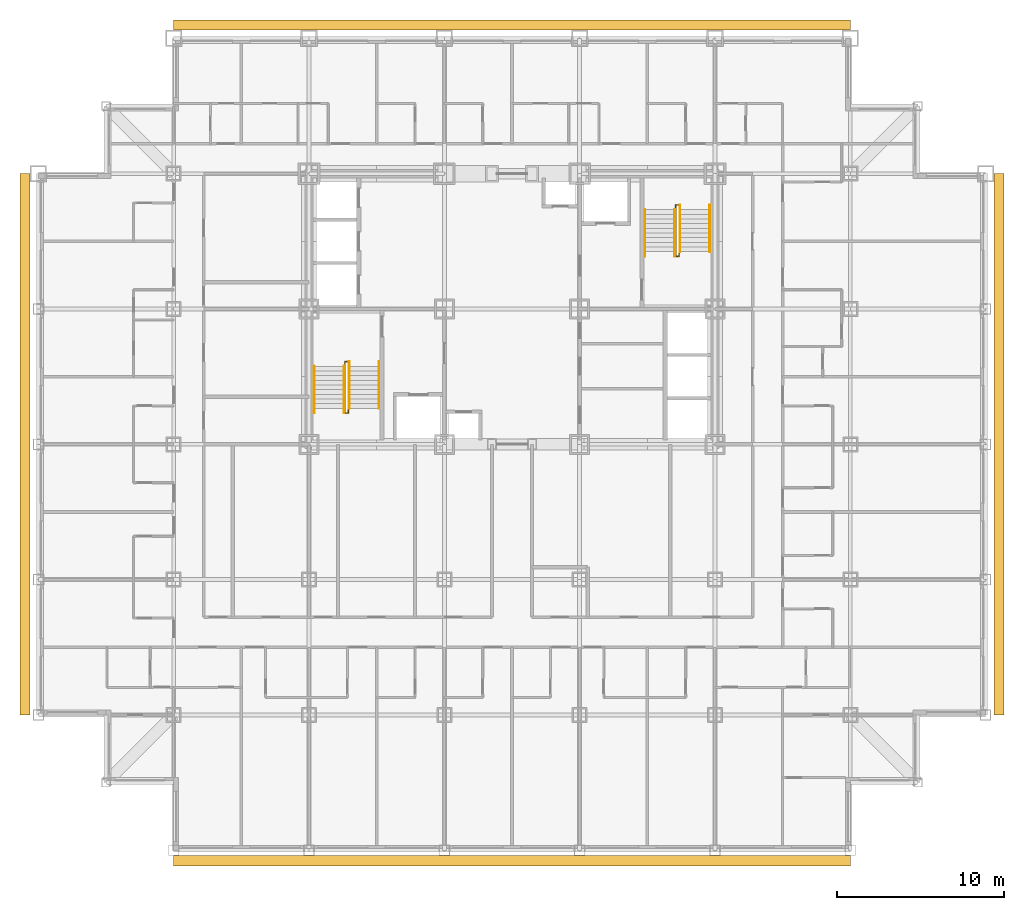
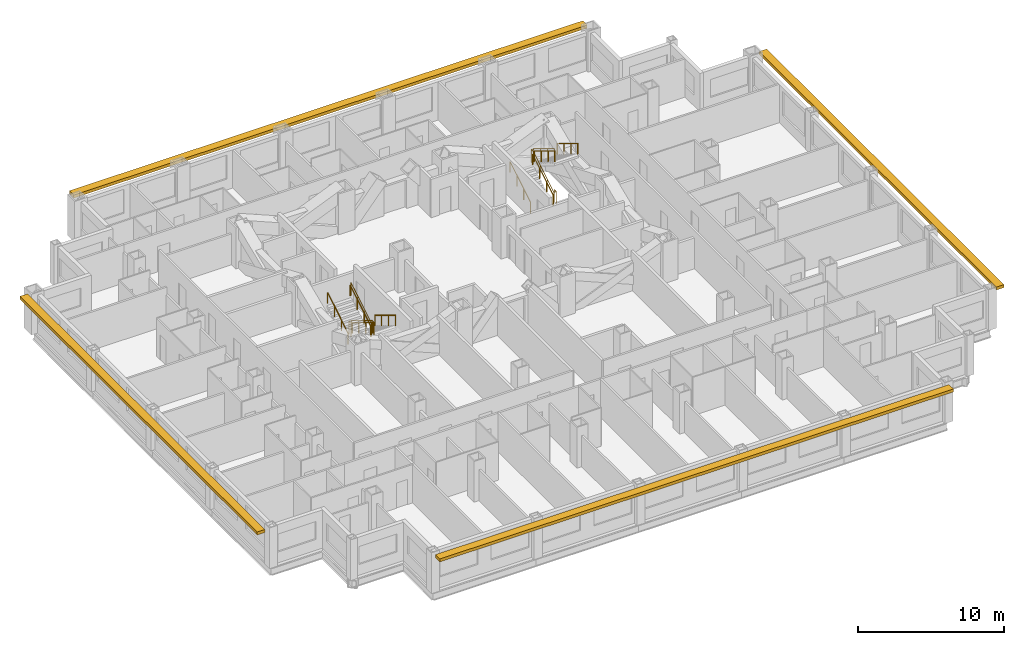
# One storey, part 12 of 12: 10 railings, 4 shading devices.
"""IFC4 building model written with IfcOpenShell, lengths in metres."""

from ifc_helpers import new_model, si_unit, direction, frame, origin, origin_2d, place, context, subcontext, project, spatial, rectangle, circle, extrude, material, type_object, element, save


model = new_model("IFC4")

# Units and contexts
model_context = context("Model", 3, precision=1e-05, world=origin(), true_north=direction((0.0, 1.0)))
body_context = subcontext(model_context, "Body", "Model", "MODEL_VIEW")
ifc_project = project(units=[si_unit("LENGTHUNIT", "METRE"), si_unit("AREAUNIT", "SQUARE_METRE"), si_unit("VOLUMEUNIT", "CUBIC_METRE"), si_unit("PLANEANGLEUNIT", "RADIAN"), si_unit("MASSUNIT", "GRAM", prefix="KILO")], contexts=[model_context])

# Site, building, storey
site_placement = place(None, origin())
site = spatial("IfcSite", under=ifc_project, at=site_placement, CompositionType="ELEMENT")
building_placement = place(site_placement, origin())
building = spatial("IfcBuilding", under=site, at=building_placement, Name="Kopane Lantern Tower", CompositionType="ELEMENT")
storey_placement = place(building_placement, frame((0.0, 0.0, 70.39990234375)))
storey = spatial("IfcBuildingStorey", under=building, at=storey_placement, Name="L17", CompositionType="ELEMENT", Elevation=70.39990234375)

# Railings
ifc_material_1 = material(Name="Steel", Category="steel")
railing_type_1 = type_object("IfcRailingType", Name="STAIR GUARD 1100", PredefinedType="GUARDRAIL", material=ifc_material_1)
railing_1_placement = place(storey_placement, frame((18.35009765625, 28.969970703125, 0.0)))
element("IfcRailing", 1, at=railing_1_placement, inside=storey, type_object=railing_type_1, Name="ST1 well guard L17", PredefinedType="GUARDRAIL", context=body_context, shape_type="SweptSolid", body=[
    extrude(circle(Radius=0.02392578125, at=origin_2d()), frame((0.0, 0.0, 1.076171875), z_axis=(0.0, 1.0, 0.0), x_axis=(-1.0, 0.0, 0.0)), (0.0, 0.0, 1.0), 0.280029296875),
    extrude(circle(Radius=0.02392578125, at=origin_2d()), frame((0.0, 0.280029296875, 1.076171875), z_axis=(1.0, 0.0, 0.0), x_axis=(0.0, 1.0, 0.0)), (0.0, 0.0, 1.0), 0.199951171875),
    extrude(circle(Radius=0.02392578125, at=origin_2d()), frame((0.199951171875, 0.280029296875, 1.076171875), z_axis=(0.0, -0.854765079529, 0.519015085347), x_axis=(1.0, 0.0, 0.0)), (0.0, 0.0, 1.0), 3.27587890625),
    extrude(circle(Radius=0.02392578125, at=origin_2d()), frame((0.199951171875, -2.52001953125, 2.7763671875), z_axis=(0.0, -1.0, 0.0), x_axis=(1.0, 0.0, 0.0)), (0.0, 0.0, 1.0), 0.280029296875),
    extrude(circle(Radius=0.02392578125, at=origin_2d()), frame((0.199951171875, -2.800048828125, 2.7763671875), z_axis=(-1.0, 0.0, 0.0), x_axis=(0.0, -1.0, 0.0)), (0.0, 0.0, 1.0), 0.199951171875),
    extrude(circle(Radius=0.02392578125, at=origin_2d()), frame((0.0, -2.800048828125, 2.7763671875), z_axis=(0.0, 0.854798142509, 0.518960630071), x_axis=(-1.0, 0.0, 0.0)), (0.0, 0.0, 1.0), 3.275634765625),
    extrude(circle(Radius=0.02099609375, at=origin_2d()), origin(), (0.0, 0.0, 1.0), 1.052001953125),
    extrude(circle(Radius=0.02099609375, at=origin_2d()), frame((0.0, 0.280029296875, 0.0)), (0.0, 0.0, 1.0), 1.052001953125),
    extrude(circle(Radius=0.02099609375, at=origin_2d()), frame((0.199951171875, 0.280029296875, 0.0)), (0.0, 0.0, 1.0), 1.052001953125),
    extrude(circle(Radius=0.02099609375, at=origin_2d()), frame((0.199951171875, -0.6533203125, 0.566650390625)), (0.0, 0.0, 1.0), 1.052001953125),
    extrude(circle(Radius=0.02099609375, at=origin_2d()), frame((0.199951171875, -1.586669921875, 1.133544921875)), (0.0, 0.0, 1.0), 1.052001953125),
    extrude(circle(Radius=0.02099609375, at=origin_2d()), frame((0.199951171875, -2.52001953125, 1.7001953125)), (0.0, 0.0, 1.0), 1.052001953125),
    extrude(circle(Radius=0.02099609375, at=origin_2d()), frame((0.199951171875, -2.800048828125, 1.7001953125)), (0.0, 0.0, 1.0), 1.052001953125),
    extrude(circle(Radius=0.02099609375, at=origin_2d()), frame((0.0, -2.800048828125, 1.7001953125)), (0.0, 0.0, 1.0), 1.052001953125),
    extrude(circle(Radius=0.02099609375, at=origin_2d()), frame((0.0, -1.86669921875, 2.266845703125)), (0.0, 0.0, 1.0), 1.052001953125),
    extrude(circle(Radius=0.02099609375, at=origin_2d()), frame((0.0, -0.933349609375, 2.83349609375)), (0.0, 0.0, 1.0), 1.052001953125),
    extrude(circle(Radius=0.02099609375, at=origin_2d()), frame((0.0, 0.0, 3.400146484375)), (0.0, 0.0, 1.0), 1.052001953125),
])
railing_2_placement = place(storey_placement, frame((38.35009765625, 35.830078125, 0.0)))
element("IfcRailing", 2, at=railing_2_placement, inside=storey, type_object=railing_type_1, Name="ST2 well guard L17", PredefinedType="GUARDRAIL", context=body_context, shape_type="SweptSolid", body=[
    extrude(circle(Radius=0.02392578125, at=origin_2d()), frame((0.0, 0.0, 1.076171875), z_axis=(0.0, -1.0, 0.0), x_axis=(1.0, 0.0, 0.0)), (0.0, 0.0, 1.0), 0.280029296875),
    extrude(circle(Radius=0.02392578125, at=origin_2d()), frame((0.0, -0.280029296875, 1.076171875), z_axis=(-1.0, 0.0, 0.0), x_axis=(0.0, -1.0, 0.0)), (0.0, 0.0, 1.0), 0.2001953125),
    extrude(circle(Radius=0.02392578125, at=origin_2d()), frame((-0.2001953125, -0.280029296875, 1.076171875), z_axis=(0.0, 0.854765079529, 0.519015085347), x_axis=(-1.0, 0.0, 0.0)), (0.0, 0.0, 1.0), 3.27587890625),
    extrude(circle(Radius=0.02392578125, at=origin_2d()), frame((-0.2001953125, 2.52001953125, 2.7763671875), z_axis=(0.0, 1.0, 0.0), x_axis=(-1.0, 0.0, 0.0)), (0.0, 0.0, 1.0), 0.27978515625),
    extrude(circle(Radius=0.02392578125, at=origin_2d()), frame((-0.2001953125, 2.7998046875, 2.7763671875), z_axis=(1.0, 0.0, 0.0), x_axis=(0.0, 1.0, 0.0)), (0.0, 0.0, 1.0), 0.2001953125),
    extrude(circle(Radius=0.02392578125, at=origin_2d()), frame((0.0, 2.7998046875, 2.7763671875), z_axis=(0.0, -0.854778067842, 0.518993694313), x_axis=(1.0, 0.0, 0.0)), (0.0, 0.0, 1.0), 3.275390625),
    extrude(circle(Radius=0.02099609375, at=origin_2d()), origin(), (0.0, 0.0, 1.0), 1.052001953125),
    extrude(circle(Radius=0.02099609375, at=origin_2d()), frame((0.0, -0.280029296875, 0.0)), (0.0, 0.0, 1.0), 1.052001953125),
    extrude(circle(Radius=0.02099609375, at=origin_2d()), frame((-0.2001953125, -0.280029296875, 0.0)), (0.0, 0.0, 1.0), 1.052001953125),
    extrude(circle(Radius=0.02099609375, at=origin_2d()), frame((-0.2001953125, 0.6533203125, 0.566650390625)), (0.0, 0.0, 1.0), 1.052001953125),
    extrude(circle(Radius=0.02099609375, at=origin_2d()), frame((-0.2001953125, 1.586669921875, 1.133544921875)), (0.0, 0.0, 1.0), 1.052001953125),
    extrude(circle(Radius=0.02099609375, at=origin_2d()), frame((-0.2001953125, 2.52001953125, 1.7001953125)), (0.0, 0.0, 1.0), 1.052001953125),
    extrude(circle(Radius=0.02099609375, at=origin_2d()), frame((-0.2001953125, 2.7998046875, 1.7001953125)), (0.0, 0.0, 1.0), 1.052001953125),
    extrude(circle(Radius=0.02099609375, at=origin_2d()), frame((0.0, 2.7998046875, 1.7001953125)), (0.0, 0.0, 1.0), 1.052001953125),
    extrude(circle(Radius=0.02099609375, at=origin_2d()), frame((0.0, 1.866455078125, 2.266845703125)), (0.0, 0.0, 1.0), 1.052001953125),
    extrude(circle(Radius=0.02099609375, at=origin_2d()), frame((0.0, 0.933349609375, 2.83349609375)), (0.0, 0.0, 1.0), 1.052001953125),
    extrude(circle(Radius=0.02099609375, at=origin_2d()), frame((0.0, 0.0, 3.400146484375)), (0.0, 0.0, 1.0), 1.052001953125),
])
ifc_material_2 = material(Name="Steel", Category="steel")
railing_type_2 = type_object("IfcRailingType", Name="STAIR HANDRAIL 900", PredefinedType="HANDRAIL", material=ifc_material_2)
for number, where, name in (
    (3, (20.389892578125, 29.25, 0.0), "ST1 handrail L17 flight 1"),
    (4, (18.610107421875, 29.25, 0.0), "ST1 handrail L17 flight 1"),
):
    element("IfcRailing", number, at=place(storey_placement, frame(where)), inside=storey, type_object=railing_type_2, Name=name, PredefinedType="HANDRAIL", context=body_context, shape_type="SweptSolid", body=[
        extrude(circle(Radius=0.02392578125, at=origin_2d()), frame((0.0, 0.0, 0.8759765625), z_axis=(0.0, -0.854765079529, 0.519015085347), x_axis=(1.0, 0.0, 0.0)), (0.0, 0.0, 1.0), 3.27587890625),
        extrude(circle(Radius=0.02099609375, at=origin_2d()), origin(), (0.0, 0.0, 1.0), 0.851806640625),
        extrude(circle(Radius=0.02099609375, at=origin_2d()), frame((0.0, -0.933349609375, 0.566650390625)), (0.0, 0.0, 1.0), 0.851806640625),
        extrude(circle(Radius=0.02099609375, at=origin_2d()), frame((0.0, -1.86669921875, 1.133544921875)), (0.0, 0.0, 1.0), 0.851806640625),
        extrude(circle(Radius=0.02099609375, at=origin_2d()), frame((0.0, -2.800048828125, 1.7001953125)), (0.0, 0.0, 1.0), 0.851806640625),
    ])
for number, where, name in (
    (5, (16.510009765625, 26.169921875, 1.7001953125), "ST1 handrail L17 flight 2"),
    (6, (18.2900390625, 26.169921875, 1.7001953125), "ST1 handrail L17 flight 2"),
):
    element("IfcRailing", number, at=place(storey_placement, frame(where)), inside=storey, type_object=railing_type_2, Name=name, PredefinedType="HANDRAIL", context=body_context, shape_type="SweptSolid", body=[
        extrude(circle(Radius=0.02392578125, at=origin_2d()), frame((0.0, 0.0, 0.8759765625), z_axis=(0.0, 0.854798142509, 0.518960630071), x_axis=(-1.0, 0.0, 0.0)), (0.0, 0.0, 1.0), 3.275634765625),
        extrude(circle(Radius=0.02099609375, at=origin_2d()), origin(), (0.0, 0.0, 1.0), 0.851806640625),
        extrude(circle(Radius=0.02099609375, at=origin_2d()), frame((0.0, 0.933349609375, 0.566650390625)), (0.0, 0.0, 1.0), 0.851806640625),
        extrude(circle(Radius=0.02099609375, at=origin_2d()), frame((0.0, 1.86669921875, 1.13330078125)), (0.0, 0.0, 1.0), 0.851806640625),
        extrude(circle(Radius=0.02099609375, at=origin_2d()), frame((0.0, 2.800048828125, 1.699951171875)), (0.0, 0.0, 1.0), 0.851806640625),
    ])
for number, where, name in (
    (7, (36.31005859375, 35.550048828125, 0.0), "ST2 handrail L17 flight 1"),
    (8, (38.090087890625, 35.550048828125, 0.0), "ST2 handrail L17 flight 1"),
):
    element("IfcRailing", number, at=place(storey_placement, frame(where)), inside=storey, type_object=railing_type_2, Name=name, PredefinedType="HANDRAIL", context=body_context, shape_type="SweptSolid", body=[
        extrude(circle(Radius=0.02392578125, at=origin_2d()), frame((0.0, 0.0, 0.8759765625), z_axis=(0.0, 0.854765079529, 0.519015085347), x_axis=(-1.0, 0.0, 0.0)), (0.0, 0.0, 1.0), 3.27587890625),
        extrude(circle(Radius=0.02099609375, at=origin_2d()), origin(), (0.0, 0.0, 1.0), 0.851806640625),
        extrude(circle(Radius=0.02099609375, at=origin_2d()), frame((0.0, 0.933349609375, 0.566650390625)), (0.0, 0.0, 1.0), 0.851806640625),
        extrude(circle(Radius=0.02099609375, at=origin_2d()), frame((0.0, 1.86669921875, 1.133544921875)), (0.0, 0.0, 1.0), 0.851806640625),
        extrude(circle(Radius=0.02099609375, at=origin_2d()), frame((0.0, 2.800048828125, 1.7001953125)), (0.0, 0.0, 1.0), 0.851806640625),
    ])
for number, where, name in (
    (9, (40.18994140625, 38.6298828125, 1.7001953125), "ST2 handrail L17 flight 2"),
    (10, (38.409912109375, 38.6298828125, 1.7001953125), "ST2 handrail L17 flight 2"),
):
    element("IfcRailing", number, at=place(storey_placement, frame(where)), inside=storey, type_object=railing_type_2, Name=name, PredefinedType="HANDRAIL", context=body_context, shape_type="SweptSolid", body=[
        extrude(circle(Radius=0.02392578125, at=origin_2d()), frame((0.0, 0.0, 0.8759765625), z_axis=(0.0, -0.854778067842, 0.518993694313), x_axis=(1.0, 0.0, 0.0)), (0.0, 0.0, 1.0), 3.275390625),
        extrude(circle(Radius=0.02099609375, at=origin_2d()), origin(), (0.0, 0.0, 1.0), 0.851806640625),
        extrude(circle(Radius=0.02099609375, at=origin_2d()), frame((0.0, -0.933349609375, 0.566650390625)), (0.0, 0.0, 1.0), 0.851806640625),
        extrude(circle(Radius=0.02099609375, at=origin_2d()), frame((0.0, -1.866455078125, 1.13330078125)), (0.0, 0.0, 1.0), 0.851806640625),
        extrude(circle(Radius=0.02099609375, at=origin_2d()), frame((0.0, -2.7998046875, 1.699951171875)), (0.0, 0.0, 1.0), 0.851806640625),
    ])

# Shading devices
ifc_material_3 = material(Name="Terracotta rainscreen on light steel framing", Category="masonry")
shading_device_type = type_object("IfcShadingDeviceType", Name="SUNSHADE BAND SB1 600 TERRACOTTA", PredefinedType="USERDEFINED", material=ifc_material_3)
shading_device_1_placement = place(storey_placement, frame((28.35009765625, -0.625, 2.900146484375), z_axis=(0.0, 0.0, 1.0), x_axis=(1.0, 0.0, 0.0)))
element("IfcShadingDevice", 11, at=shading_device_1_placement, inside=storey, type_object=shading_device_type, Name="Sunshade band S L17", ObjectType="SUNSHADE BAND", PredefinedType="USERDEFINED", context=body_context, shape_type="SweptSolid", body=[
    extrude(rectangle(XDim=40.5, YDim=0.60009765625, at=origin_2d()), origin(), (0.0, 0.0, 1.0), 0.25),
])
shading_device_2_placement = place(storey_placement, frame((57.5, 24.300048828125, 2.900146484375), z_axis=(0.0, 0.0, 1.0), x_axis=(0.0, 1.0, 0.0)))
element("IfcShadingDevice", 12, at=shading_device_2_placement, inside=storey, type_object=shading_device_type, Name="Sunshade band E L17", ObjectType="SUNSHADE BAND", PredefinedType="USERDEFINED", context=body_context, shape_type="SweptSolid", body=[
    extrude(rectangle(XDim=32.39990234375, YDim=0.60009765625, at=origin_2d()), origin(), (0.0, 0.0, 1.0), 0.25),
])
shading_device_3_placement = place(storey_placement, frame((28.35009765625, 49.39990234375, 2.900146484375), z_axis=(0.0, 0.0, 1.0), x_axis=(-1.0, 0.0, 0.0)))
element("IfcShadingDevice", 13, at=shading_device_3_placement, inside=storey, type_object=shading_device_type, Name="Sunshade band N L17", ObjectType="SUNSHADE BAND", PredefinedType="USERDEFINED", context=body_context, shape_type="SweptSolid", body=[
    extrude(rectangle(XDim=40.5, YDim=0.60009765625, at=origin_2d()), origin(), (0.0, 0.0, 1.0), 0.25),
])
shading_device_4_placement = place(storey_placement, frame((-0.800048828125, 24.300048828125, 2.900146484375), z_axis=(0.0, 0.0, 1.0), x_axis=(0.0, -1.0, 0.0)))
element("IfcShadingDevice", 14, at=shading_device_4_placement, inside=storey, type_object=shading_device_type, Name="Sunshade band W L17", ObjectType="SUNSHADE BAND", PredefinedType="USERDEFINED", context=body_context, shape_type="SweptSolid", body=[
    extrude(rectangle(XDim=32.39990234375, YDim=0.60009765625, at=origin_2d()), origin(), (0.0, 0.0, 1.0), 0.25),
])

save(model, "model.ifc")
